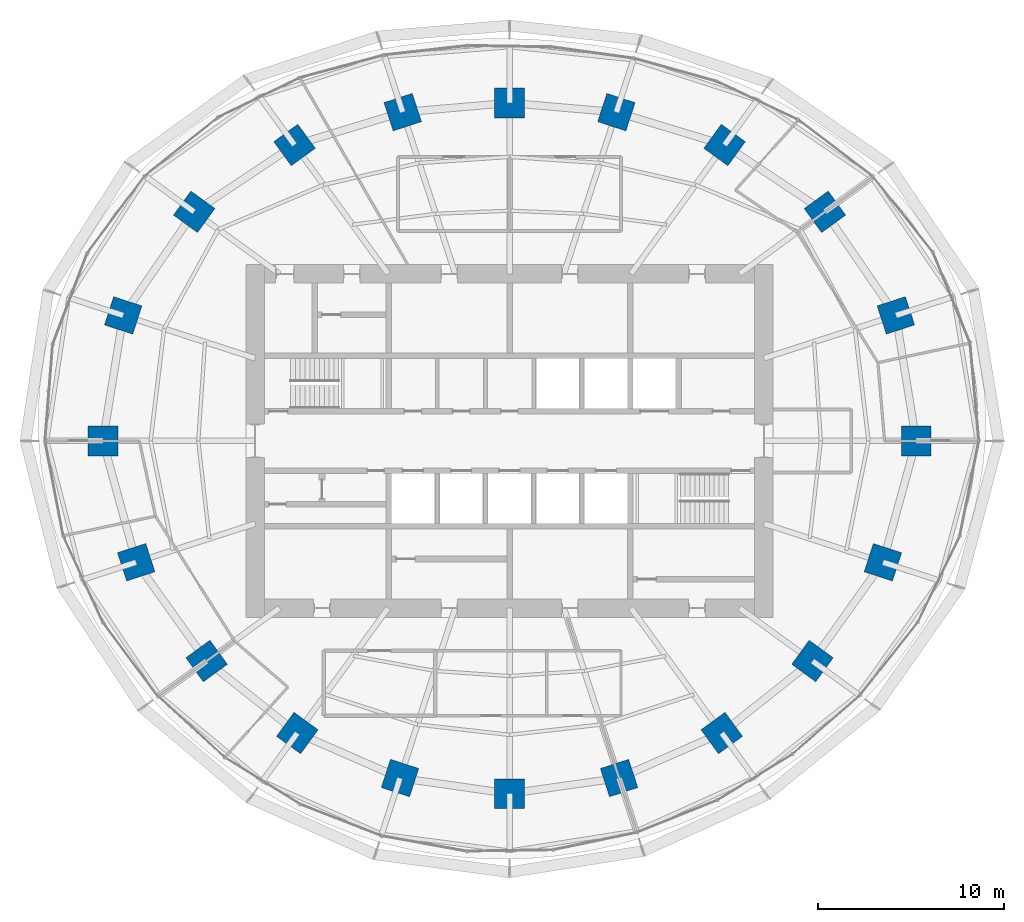
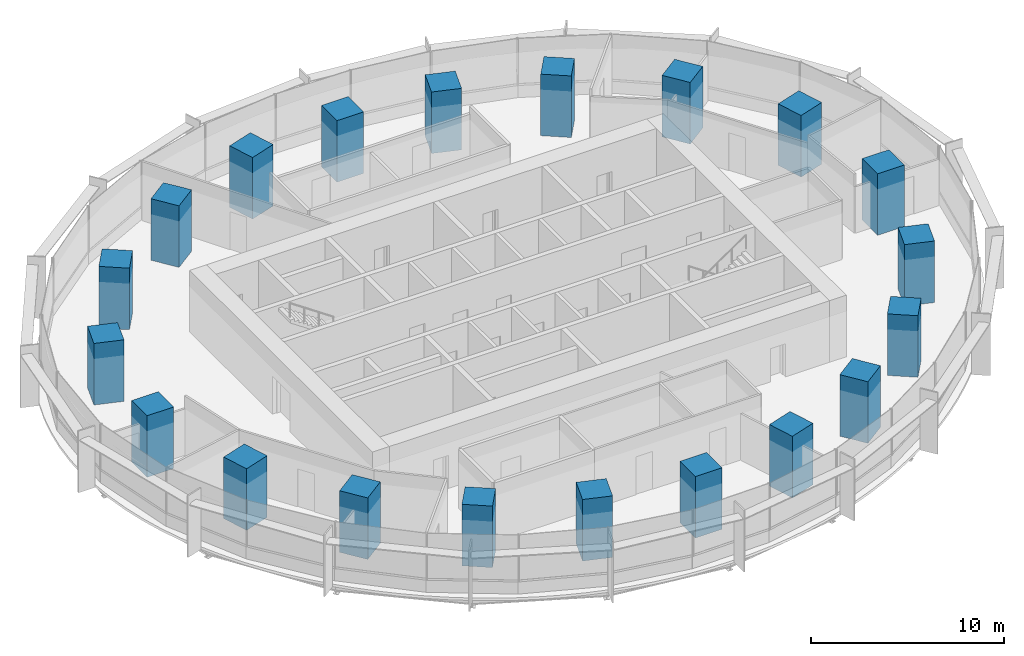
# One storey, part 1 of 14: 20 columns.
"""IFC4 building model written with IfcOpenShell, lengths in metres."""

import ifcopenshell
import ifcopenshell.guid

model = None  # the IFC model being written
_history = None  # IfcOwnerHistory: only IFC2X3 demands one
_inside = {}  # id of a spatial element -> (the spatial element, [elements in it])
_under = {}  # id of a project, library or spatial element -> (it, [spatial elements below it])
_declared = {}  # id of a project -> (the project, [libraries it declares])
_typed = {}  # id of a type object -> (the type object, [elements of that type])
_made_of = {}  # id of a material, layer set ... -> (it, [elements and type objects made of it])


def new_model(schema):
    """Start an empty IFC model of exactly this schema.

    Asked for "IFC4X3", IfcOpenShell would pick the latest addendum, in which some entities
    have other attributes; the version numbers below select the first issue.
    IFC2X3 requires an IfcOwnerHistory on every rooted entity: one is made here for all.
    """
    global model, _history
    if schema == "IFC4X3":
        model = ifcopenshell.file(schema_version=(4, 3, 0, 0))
    else:
        model = ifcopenshell.file(schema=schema)
    _inside.clear()
    _under.clear()
    _declared.clear()
    _typed.clear()
    _made_of.clear()
    _history = None
    if model.schema == "IFC2X3":
        org = make("IfcOrganization", Name="unknown")
        user = make(
            "IfcPersonAndOrganization",
            ThePerson=make("IfcPerson", FamilyName="unknown"),
            TheOrganization=org,
        )
        app = make(
            "IfcApplication",
            ApplicationDeveloper=org,
            Version="unknown",
            ApplicationFullName="unknown",
            ApplicationIdentifier="unknown",
        )
        _history = make(
            "IfcOwnerHistory",
            OwningUser=user,
            OwningApplication=app,
            ChangeAction="ADDED",
            CreationDate=0,
        )
    return model


def make(cls, **values):
    """One entity of the class cls with the attributes given. An attribute that is None is left unset."""
    return model.create_entity(
        cls, **{name: value for name, value in values.items() if value is not None}
    )


def rooted(cls, **values):
    """An entity with a GlobalId (a new one), such as an element, a storey or a relation."""
    return make(cls, GlobalId=ifcopenshell.guid.new(), OwnerHistory=_history, **values)


def si_unit(unit_type, name, prefix=None):
    """IfcSIUnit, for example si_unit("LENGTHUNIT", "METRE", prefix="MILLI")."""
    return make("IfcSIUnit", UnitType=unit_type, Prefix=prefix, Name=name)


def assignment(units):
    """IfcUnitAssignment: the units of a project."""
    return None if units is None else make("IfcUnitAssignment", Units=units)


def point(xyz):
    """IfcCartesianPoint."""
    return None if xyz is None else make("IfcCartesianPoint", Coordinates=xyz)


def direction(xyz):
    """IfcDirection."""
    return None if xyz is None else make("IfcDirection", DirectionRatios=xyz)


def frame(location, z_axis=None, x_axis=None):
    """IfcAxis2Placement3D, a coordinate frame: its origin and axes. An axis left out is left unset."""
    return make(
        "IfcAxis2Placement3D",
        Location=point(location),
        Axis=direction(z_axis),
        RefDirection=direction(x_axis),
    )


def frame_2d(location, x_axis=None):
    """IfcAxis2Placement2D, a coordinate frame in the plane: its origin and x axis."""
    return make(
        "IfcAxis2Placement2D", Location=point(location), RefDirection=direction(x_axis)
    )


def origin():
    """The frame at (0, 0, 0) with its axes left unset."""
    return frame((0.0, 0.0, 0.0))


def origin_2d():
    """The frame at (0, 0) in the plane with its x axis left unset."""
    return frame_2d((0.0, 0.0))


def place(relative_to, where):
    """IfcLocalPlacement: puts the frame where relative to a parent placement (None: the world)."""
    return make(
        "IfcLocalPlacement", PlacementRelTo=relative_to, RelativePlacement=where
    )


def context(
    kind, dimensions, precision=None, world=None, true_north=None, identifier=None
):
    """IfcGeometricRepresentationContext, for example the 3D "Model" context."""
    return make(
        "IfcGeometricRepresentationContext",
        ContextIdentifier=identifier,
        ContextType=kind,
        CoordinateSpaceDimension=dimensions,
        Precision=precision,
        WorldCoordinateSystem=world,
        TrueNorth=true_north,
    )


def subcontext(parent, identifier, kind, view, scale=None):
    """IfcGeometricRepresentationSubContext, for example "Body" below "Model"."""
    return make(
        "IfcGeometricRepresentationSubContext",
        ContextIdentifier=identifier,
        ContextType=kind,
        ParentContext=parent,
        TargetScale=scale,
        TargetView=view,
    )


def project(units=None, contexts=None):
    """IfcProject with its units and contexts."""
    return rooted(
        "IfcProject",
        Name="project",
        RepresentationContexts=contexts,
        UnitsInContext=assignment(units),
    )


def spatial(cls, under=None, at=None, **own):
    """A site, building, storey or space (cls), placed at a placement, below another one or the project."""
    s = rooted(cls, ObjectPlacement=at, **own)
    if under is not None:
        _under.setdefault(under.id(), (under, []))[1].append(s)
    return s


def profile(cls, at=None, kind="AREA", **sizes):
    """A parametric profile (cls). Its sizes go by their IFC names, for example OverallWidth=200.0."""
    return make(cls, ProfileType=kind, Position=at, **sizes)


def rectangle(**sizes):
    """IfcRectangleProfileDef."""
    return profile("IfcRectangleProfileDef", **sizes)


def extrude(swept, where, along, depth):
    """IfcExtrudedAreaSolid: the profile swept, set in the frame where, extruded along a direction by depth."""
    return make(
        "IfcExtrudedAreaSolid",
        SweptArea=swept,
        Position=where,
        ExtrudedDirection=direction(along),
        Depth=depth,
    )


def shape(context_of_items, identifier, shape_type, items):
    """IfcShapeRepresentation: the items that make up one representation, for example the "Body"."""
    return make(
        "IfcShapeRepresentation",
        ContextOfItems=context_of_items,
        RepresentationIdentifier=identifier,
        RepresentationType=shape_type,
        Items=items,
    )


def material(Name=None, Category=None):
    """IfcMaterial."""
    return make("IfcMaterial", Name=Name, Category=Category)


def material_profile(
    of_material, cross_section, Name=None, Category=None, Priority=None
):
    """IfcMaterialProfile: a cross section and its material."""
    return make(
        "IfcMaterialProfile",
        Name=Name,
        Material=of_material,
        Profile=cross_section,
        Priority=Priority,
        Category=Category,
    )


def profile_set(profiles, Name=None, composite=None):
    """IfcMaterialProfileSet."""
    return make(
        "IfcMaterialProfileSet",
        Name=Name,
        MaterialProfiles=profiles,
        CompositeProfile=composite,
    )


def made_of(thing, what):
    """Note that an element or type object is made of a material, layer set ...; save() writes the relation."""
    if what is not None:
        _made_of.setdefault(what.id(), (what, []))[1].append(thing)
    return thing


def type_object(cls, material=None, **own):
    """A type object (cls), such as IfcWallType, which elements share."""
    return made_of(rooted(cls, **own), material)


def element(
    cls,
    number,
    at=None,
    inside=None,
    cuts=None,
    type_object=None,
    material=None,
    context=None,
    identifier="Body",
    shape_type=None,
    held_by="IfcProductDefinitionShape",
    body=None,
    shapes=None,
    **own,
):
    """One element of the class cls, such as IfcWall. Its Tag is "e" and its number.

    at: its placement. inside: the storey or other place that contains it. cuts: it is an
    opening in that element (IfcRelVoidsElement). A single representation is given by context,
    identifier, shape_type and body (its items); several are given by shapes. held_by: the class
    of the entity that holds the representations. save() writes the other relations.
    """
    e = rooted(cls, Tag="e%d" % number, ObjectPlacement=at, **own)
    if body is not None:
        shapes = [shape(context, identifier, shape_type, body)]
    if shapes is not None:
        e.Representation = make(held_by, Representations=shapes)
    if inside is not None:
        _inside.setdefault(inside.id(), (inside, []))[1].append(e)
    if cuts is not None:
        rooted(
            "IfcRelVoidsElement", RelatingBuildingElement=cuts, RelatedOpeningElement=e
        )
    if type_object is not None:
        _typed.setdefault(type_object.id(), (type_object, []))[1].append(e)
    return made_of(e, material)


def aggregate(whole, parts):
    """IfcRelAggregates: a whole, such as a stair, and the parts it consists of."""
    return rooted("IfcRelAggregates", RelatingObject=whole, RelatedObjects=parts)


def save(model, path):
    """Write the relations noted so far, then the file.

    IfcRelAggregates (storeys below a building ...), IfcRelContainedInSpatialStructure (elements
    in a storey), IfcRelDefinesByType, IfcRelAssociatesMaterial and IfcRelDeclares: one each for
    every whole, place, type object, material and project.
    """
    for whole, parts in _under.values():
        aggregate(whole, parts)
    for where, things in _inside.values():
        rooted(
            "IfcRelContainedInSpatialStructure",
            RelatedElements=things,
            RelatingStructure=where,
        )
    for kind, things in _typed.values():
        rooted("IfcRelDefinesByType", RelatedObjects=things, RelatingType=kind)
    for what, things in _made_of.values():
        rooted("IfcRelAssociatesMaterial", RelatedObjects=things, RelatingMaterial=what)
    for by, libraries in _declared.values():
        rooted("IfcRelDeclares", RelatingContext=by, RelatedDefinitions=libraries)
    model.write(path)


model = new_model("IFC4")

# Units and contexts
model_context = context("Model", 3, precision=1e-05, world=origin(), true_north=direction((0.0, 1.0)))
body_context = subcontext(model_context, "Body", "Model", "MODEL_VIEW")
ifc_project = project(units=[si_unit("LENGTHUNIT", "METRE"), si_unit("AREAUNIT", "SQUARE_METRE"), si_unit("VOLUMEUNIT", "CUBIC_METRE"), si_unit("PLANEANGLEUNIT", "RADIAN"), si_unit("MASSUNIT", "GRAM", prefix="KILO")], contexts=[model_context])

# Site, building, storey
site_placement = place(None, origin())
site = spatial("IfcSite", under=ifc_project, at=site_placement, CompositionType="ELEMENT")
building_placement = place(site_placement, origin())
building = spatial("IfcBuilding", under=site, at=building_placement, Name="Marramba Exchange Tower", CompositionType="ELEMENT")
storey_placement = place(building_placement, frame((0.0, 0.0, 96.300048828125)))
storey = spatial("IfcBuildingStorey", under=building, at=storey_placement, Name="L22", CompositionType="ELEMENT", Elevation=96.300048828125)

# Columns
ifc_material = material(Name="Concrete N50", Category="concrete")
ifc_material_profile = material_profile(ifc_material, rectangle(XDim=1.60009765625, YDim=1.60009765625, at=origin_2d()), Name="RC 1600x1600")
ifc_profile_set = profile_set([ifc_material_profile], Name="Concrete N50")
column_type = type_object("IfcColumnType", Name="Perimeter column RC 1600x1600 N50", PredefinedType="COLUMN", material=ifc_profile_set)
for number, where, z_axis, x_axis, name in (
    (1, (21.89990234375, 0.0, 0.0), (0.0, 0.0, 1.0), (1.0, 0.0, 0.0), "Column TC01 L22"),
    (2, (20.808349609375, 6.760986328125, 0.0), (0.0, 0.0, 1.0), (0.951056516295, 0.309016994375, 0.0), "Column TC02 L22"),
    (3, (16.98583984375, 12.3408203125, 0.0), (0.0, 0.0, 1.0), (0.809016994375, 0.587785252292, 0.0), "Column TC03 L22"),
    (4, (11.581298828125, 15.9404296875, 0.0), (0.0, 0.0, 1.0), (0.587785252292, 0.809016994375, 0.0), "Column TC04 L22"),
    (5, (5.75390625, 17.70849609375, 0.0), (0.0, 0.0, 1.0), (0.309016994375, 0.951056516295, 0.0), "Column TC05 L22"),
    (6, (0.0, 18.2041015625, 0.0), (0.0, 0.0, 1.0), (0.0, 1.0, 0.0), "Column TC06 L22"),
    (7, (-5.75390625, 17.70849609375, 0.0), (0.0, 0.0, 1.0), (-0.309016994375, 0.951056516295, 0.0), "Column TC07 L22"),
    (8, (-11.581298828125, 15.9404296875, 0.0), (0.0, 0.0, 1.0), (-0.587785252292, 0.809016994375, 0.0), "Column TC08 L22"),
    (9, (-16.98583984375, 12.3408203125, 0.0), (0.0, 0.0, 1.0), (-0.809016994375, 0.587785252292, 0.0), "Column TC09 L22"),
    (10, (-20.808349609375, 6.760986328125, 0.0), (0.0, 0.0, 1.0), (-0.951056516295, 0.309016994375, 0.0), "Column TC10 L22"),
    (11, (-21.89990234375, 0.0, 0.0), (0.0, 0.0, 1.0), (-1.0, 0.0, 0.0), "Column TC11 L22"),
    (12, (-20.109375, -6.533935546875, 0.0), (0.0, 0.0, 1.0), (-0.951056516295, -0.309016994375, 0.0), "Column TC12 L22"),
    (13, (-16.3154296875, -11.853759765625, 0.0), (0.0, 0.0, 1.0), (-0.809016994375, -0.587785252292, 0.0), "Column TC13 L22"),
    (14, (-11.430419921875, -15.732666015625, 0.0), (0.0, 0.0, 1.0), (-0.587785252292, -0.809016994375, 0.0), "Column TC14 L22"),
    (15, (-5.899658203125, -18.156982421875, 0.0), (0.0, 0.0, 1.0), (-0.309016994375, -0.951056516295, 0.0), "Column TC15 L22"),
    (16, (0.0, -18.99609375, 0.0), (0.0, 0.0, 1.0), (0.0, -1.0, 0.0), "Column TC16 L22"),
    (17, (5.899658203125, -18.156982421875, 0.0), (0.0, 0.0, 1.0), (0.309016994375, -0.951056516295, 0.0), "Column TC17 L22"),
    (18, (11.430419921875, -15.732666015625, 0.0), (0.0, 0.0, 1.0), (0.587785252292, -0.809016994375, 0.0), "Column TC18 L22"),
    (19, (16.3154296875, -11.853759765625, 0.0), (0.0, 0.0, 1.0), (0.809016994375, -0.587785252292, 0.0), "Column TC19 L22"),
    (20, (20.109375, -6.533935546875, 0.0), (0.0, 0.0, 1.0), (0.951056516295, -0.309016994375, 0.0), "Column TC20 L22"),
):
    element("IfcColumn", number, at=place(storey_placement, frame(where, z_axis=z_axis, x_axis=x_axis)), inside=storey, type_object=column_type, Name=name, PredefinedType="COLUMN", context=body_context, shape_type="SweptSolid", body=[
        extrude(rectangle(XDim=1.60009765625, YDim=1.60009765625, at=origin_2d()), origin(), (0.0, 0.0, 1.0), 3.89990234375),
    ])

save(model, "model.ifc")
